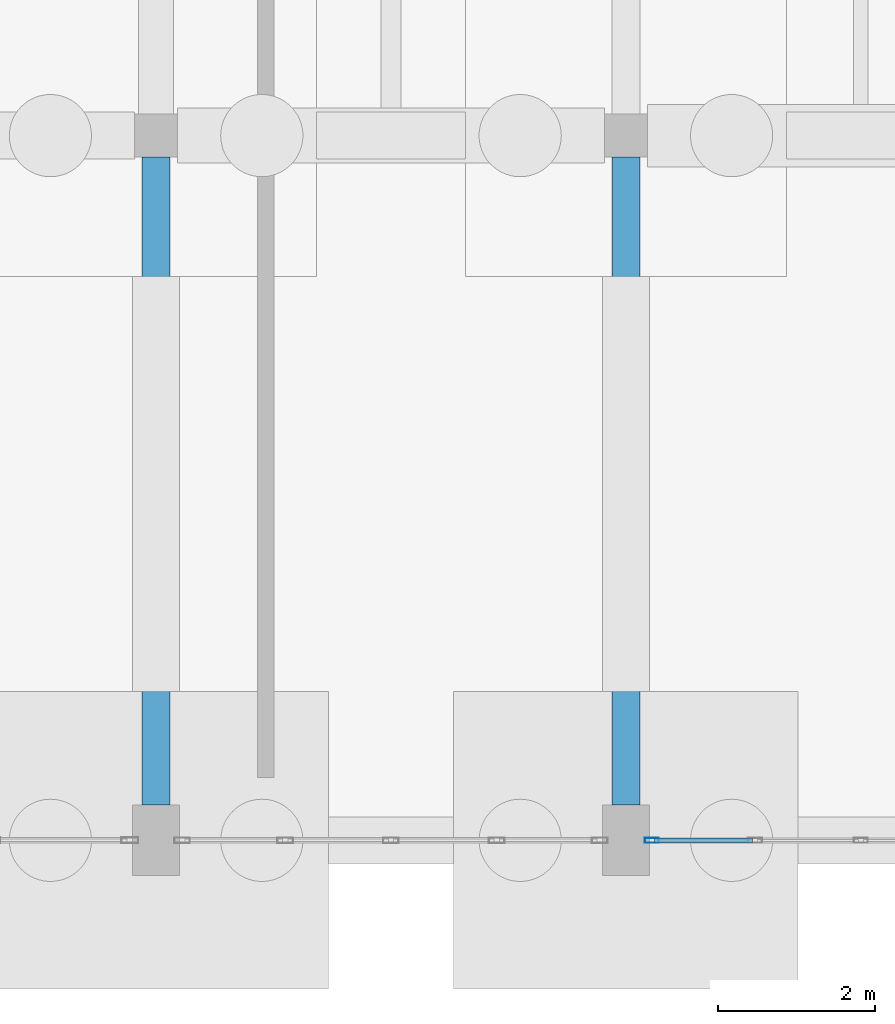
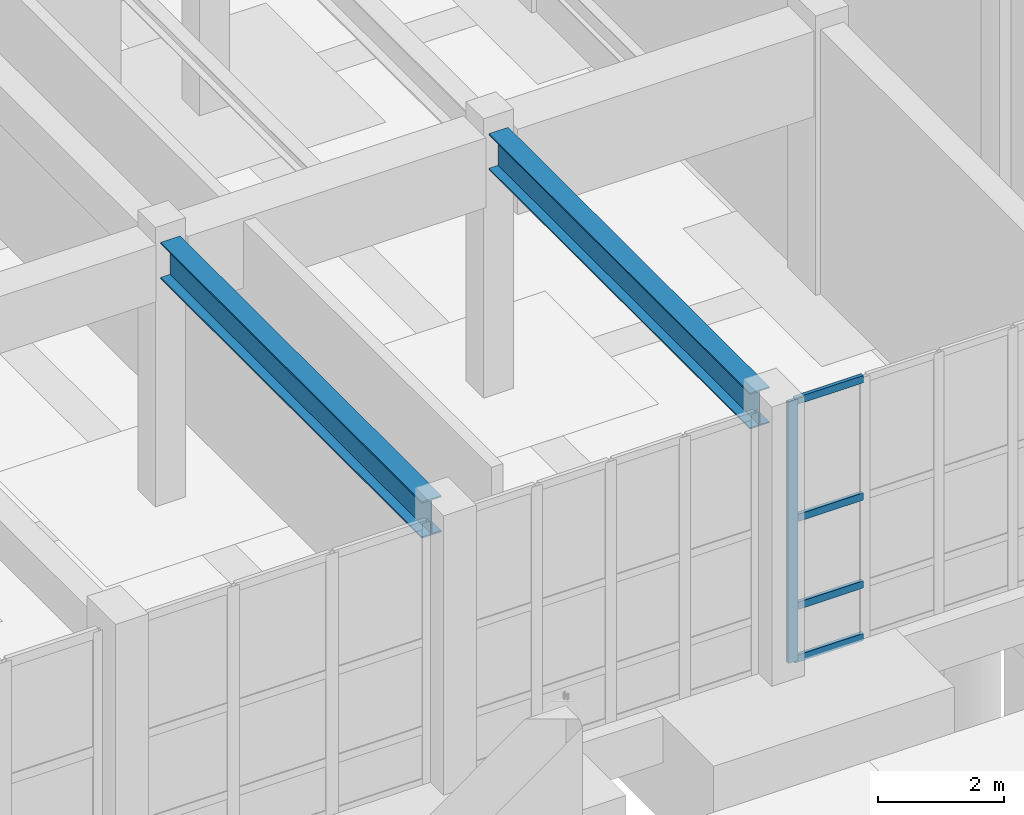
# One storey, part 25 of 69: 5 members, 2 beams, 1 element without a shape of its own.
"""IFC4 building model written with IfcOpenShell, lengths in metres."""

from ifc_helpers import new_model, si_unit, direction, frame, origin, origin_2d, place, context, subcontext, project, spatial, hollow_rectangle, i_section, extrude, material, layer, layer_set, material_profile, profile_set, type_object, element, aggregate, save


model = new_model("IFC4")

# Units and contexts
model_context = context("Model", 3, precision=1e-05, world=origin(), true_north=direction((0.0, 1.0)))
body_context = subcontext(model_context, "Body", "Model", "MODEL_VIEW")
ifc_project = project(units=[si_unit("LENGTHUNIT", "METRE"), si_unit("AREAUNIT", "SQUARE_METRE"), si_unit("VOLUMEUNIT", "CUBIC_METRE"), si_unit("PLANEANGLEUNIT", "RADIAN"), si_unit("MASSUNIT", "GRAM", prefix="KILO")], contexts=[model_context])

# Site, building, storey
site_placement = place(None, origin())
site = spatial("IfcSite", under=ifc_project, at=site_placement, CompositionType="ELEMENT")
building_placement = place(site_placement, origin())
building = spatial("IfcBuilding", under=site, at=building_placement, Name="Vaelkrest Opera House", CompositionType="ELEMENT")
storey_placement = place(building_placement, frame((0.0, 0.0, -5.39990234375)))
storey = spatial("IfcBuildingStorey", under=building, at=storey_placement, Name="B1", CompositionType="ELEMENT", Elevation=-5.39990234375)

# Beams
ifc_material_1 = material(Name="Steel A992 Gr50", Category="steel")
ifc_material_profile_1 = material_profile(ifc_material_1, i_section(OverallWidth=0.35498046875, OverallDepth=0.695068359375, WebThickness=0.015380859375, FlangeThickness=0.02490234375, at=origin_2d()), Name="W27X146")
ifc_profile_set_1 = profile_set([ifc_material_profile_1], Name="Steel A992 Gr50")
beam_type_1 = type_object("IfcBeamType", Name="B10", PredefinedType="BEAM", material=ifc_profile_set_1)
beam_1_placement = place(storey_placement, frame((-39.60009765625, -16.35009765625, 4.732421875), z_axis=(0.0, 1.0, 0.0), x_axis=(-1.0, 0.0, 0.0)))
element("IfcBeam", 1, at=beam_1_placement, inside=storey, type_object=beam_type_1, Name="Beam BM-V3-B1-1349", PredefinedType="BEAM", context=body_context, shape_type="SweptSolid", body=[
    extrude(i_section(OverallWidth=0.35498046875, OverallDepth=0.695068359375, WebThickness=0.015380859375, FlangeThickness=0.02490234375, at=origin_2d()), origin(), (0.0, 0.0, 1.0), 8.275146484375),
])
ifc_material_profile_2 = material_profile(ifc_material_1, i_section(OverallWidth=0.35791015625, OverallDepth=0.7060546875, WebThickness=0.018310546875, FlangeThickness=0.0302734375, at=origin_2d()), Name="W27X178")
ifc_profile_set_2 = profile_set([ifc_material_profile_2], Name="Steel A992 Gr50")
beam_type_2 = type_object("IfcBeamType", Name="B14", PredefinedType="BEAM", material=ifc_profile_set_2)
beam_2_placement = place(storey_placement, frame((-45.60009765625, -16.35009765625, 4.726806640625), z_axis=(0.0, 1.0, 0.0), x_axis=(-1.0, 0.0, 0.0)))
element("IfcBeam", 2, at=beam_2_placement, inside=storey, type_object=beam_type_2, Name="Beam BM-V3-B1-1342", PredefinedType="BEAM", context=body_context, shape_type="SweptSolid", body=[
    extrude(i_section(OverallWidth=0.35791015625, OverallDepth=0.7060546875, WebThickness=0.018310546875, FlangeThickness=0.0302734375, at=origin_2d()), origin(), (0.0, 0.0, 1.0), 8.275146484375),
])

# Curtain wall, members
ifc_material_2 = material(Name="Dark bronze anodized aluminium", Category="aluminium")
ifc_layer = layer(ifc_material_2, 0.179931640625)
ifc_layer_set = layer_set([ifc_layer], Name="Dark bronze anodized aluminium")
curtain_wall_type = type_object("IfcCurtainWallType", Name="CW01", PredefinedType="NOTDEFINED", material=ifc_layer_set)
curtain_wall_placement = place(storey_placement, origin())
curtain_wall = element("IfcCurtainWall", 3, at=curtain_wall_placement, inside=storey, type_object=curtain_wall_type, Name="Curtain wall CW-B1-081", PredefinedType="NOTDEFINED")
ifc_material_profile_3 = material_profile(ifc_material_2, hollow_rectangle(XDim=0.06494140625, YDim=0.179931640625, WallThickness=0.00390625, at=origin_2d()), Name="CWM65X180")
ifc_profile_set_3 = profile_set([ifc_material_profile_3], Name="Dark bronze anodized aluminium")
member_type_1 = type_object("IfcMemberType", Name="CWM01", PredefinedType="MULLION", material=ifc_profile_set_3)
member_1_placement = place(storey_placement, frame((-39.26953125, -16.800048828125, 0.0), z_axis=(0.0, 0.0, 1.0), x_axis=(0.0, -1.0, 0.0)))
member_1 = element("IfcMember", 4, at=member_1_placement, type_object=member_type_1, Name="CW01 mullion 5", PredefinedType="MULLION", context=body_context, shape_type="SweptSolid", body=[
    extrude(hollow_rectangle(XDim=0.06494140625, YDim=0.179931640625, WallThickness=0.00390625, at=origin_2d()), origin(), (0.0, 0.0, 1.0), 5.0498046875),
])
ifc_material_profile_4 = material_profile(ifc_material_2, hollow_rectangle(XDim=0.06494140625, YDim=0.139892578125, WallThickness=0.00390625, at=origin_2d()), Name="CWT65X140")
ifc_profile_set_4 = profile_set([ifc_material_profile_4], Name="Dark bronze anodized aluminium")
member_type_2 = type_object("IfcMemberType", Name="CWT01", PredefinedType="USERDEFINED", material=ifc_profile_set_4)
member_2_placement = place(storey_placement, frame((-37.9833984375, -16.800048828125, 0.032470703125), z_axis=(-1.0, 0.0, 0.0), x_axis=(0.0, -1.0, 0.0)))
member_2 = element("IfcMember", 5, at=member_2_placement, type_object=member_type_2, Name="CW01 transom 4.1", ObjectType="TRANSOM", PredefinedType="USERDEFINED", context=body_context, shape_type="SweptSolid", body=[
    extrude(hollow_rectangle(XDim=0.06494140625, YDim=0.139892578125, WallThickness=0.00390625, at=origin_2d()), origin(), (0.0, 0.0, 1.0), 1.253662109375),
])
member_3_placement = place(storey_placement, frame((-37.9833984375, -16.800048828125, 1.0498046875), z_axis=(-1.0, 0.0, 0.0), x_axis=(0.0, -1.0, 0.0)))
member_3 = element("IfcMember", 6, at=member_3_placement, type_object=member_type_2, Name="CW01 transom 4.2", ObjectType="TRANSOM", PredefinedType="USERDEFINED", context=body_context, shape_type="SweptSolid", body=[
    extrude(hollow_rectangle(XDim=0.06494140625, YDim=0.139892578125, WallThickness=0.00390625, at=origin_2d()), origin(), (0.0, 0.0, 1.0), 1.253662109375),
])
member_4_placement = place(storey_placement, frame((-37.9833984375, -16.800048828125, 2.75), z_axis=(-1.0, 0.0, 0.0), x_axis=(0.0, -1.0, 0.0)))
member_4 = element("IfcMember", 7, at=member_4_placement, type_object=member_type_2, Name="CW01 transom 4.3", ObjectType="TRANSOM", PredefinedType="USERDEFINED", context=body_context, shape_type="SweptSolid", body=[
    extrude(hollow_rectangle(XDim=0.06494140625, YDim=0.139892578125, WallThickness=0.00390625, at=origin_2d()), origin(), (0.0, 0.0, 1.0), 1.253662109375),
])
member_5_placement = place(storey_placement, frame((-37.9833984375, -16.800048828125, 5.017333984375), z_axis=(-1.0, 0.0, 0.0), x_axis=(0.0, -1.0, 0.0)))
member_5 = element("IfcMember", 8, at=member_5_placement, type_object=member_type_2, Name="CW01 transom 4.4", ObjectType="TRANSOM", PredefinedType="USERDEFINED", context=body_context, shape_type="SweptSolid", body=[
    extrude(hollow_rectangle(XDim=0.06494140625, YDim=0.139892578125, WallThickness=0.00390625, at=origin_2d()), origin(), (0.0, 0.0, 1.0), 1.253662109375),
])
aggregate(curtain_wall, [member_1, member_2, member_3, member_4, member_5])

save(model, "model.ifc")
